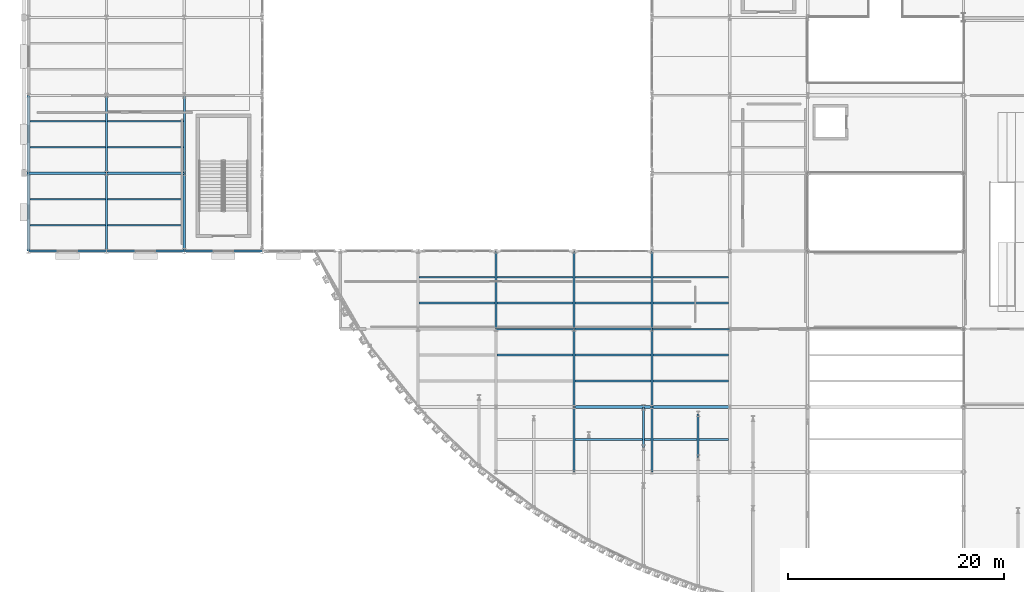
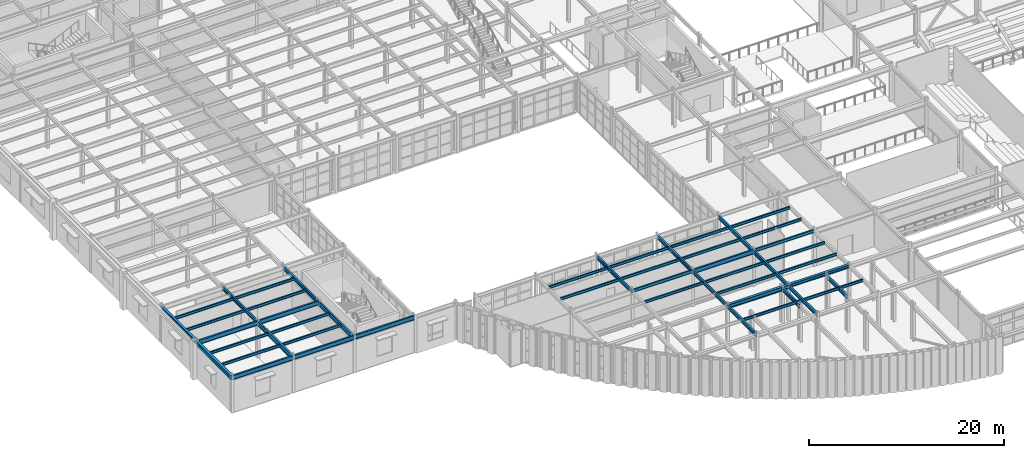
# One storey, part 24 of 121: 48 beams.
"""IFC4 building model written with IfcOpenShell, lengths in metres."""

from ifc_helpers import new_model, si_unit, direction, frame, origin, origin_2d, place, context, subcontext, project, spatial, i_section, extrude, material, material_profile, profile_set, type_object, element, save


model = new_model("IFC4")

# Units and contexts
model_context = context("Model", 3, precision=1e-05, world=origin(), true_north=direction((0.0, 1.0)))
body_context = subcontext(model_context, "Body", "Model", "MODEL_VIEW")
ifc_project = project(units=[si_unit("LENGTHUNIT", "METRE"), si_unit("AREAUNIT", "SQUARE_METRE"), si_unit("VOLUMEUNIT", "CUBIC_METRE"), si_unit("PLANEANGLEUNIT", "RADIAN"), si_unit("MASSUNIT", "GRAM", prefix="KILO")], contexts=[model_context])

# Site, building, storey
site_placement = place(None, origin())
site = spatial("IfcSite", under=ifc_project, at=site_placement, CompositionType="ELEMENT")
building_placement = place(site_placement, origin())
building = spatial("IfcBuilding", under=site, at=building_placement, Name="Solvadek Multi-Sports Hall", CompositionType="ELEMENT")
storey_placement = place(building_placement, frame((0.0, 0.0, 4.800048828125)))
storey = spatial("IfcBuildingStorey", under=building, at=storey_placement, Name="L01", CompositionType="ELEMENT", Elevation=4.800048828125)

# Beams
ifc_material = material(Name="Steel E350 (350 MPa)", Category="steel")
ifc_material_profile_1 = material_profile(ifc_material, i_section(OverallWidth=0.139892578125, OverallDepth=0.39990234375, WebThickness=0.0087890625, FlangeThickness=0.01611328125, at=origin_2d()), Name="ISMB 400")
ifc_profile_set_1 = profile_set([ifc_material_profile_1], Name="Steel E350 (350 MPa)")
beam_type_1 = type_object("IfcBeamType", Name="STR-BM-ISMB400", PredefinedType="BEAM", material=ifc_profile_set_1)
for number, where, z_axis, x_axis, name in (
    (1, (43.199951171875, 13.199951171875, 4.35986328125), (1.0, 0.0, 0.0), (0.0, 1.0, 0.0), "L01 Girder B-10 #964"),
    (2, (57.60009765625, 13.199951171875, 4.35986328125), (1.0, 0.0, 0.0), (0.0, 1.0, 0.0), "L01 Girder B-10 #966"),
):
    element("IfcBeam", number, at=place(storey_placement, frame(where, z_axis=z_axis, x_axis=x_axis)), inside=storey, type_object=beam_type_1, Name=name, PredefinedType="BEAM", context=body_context, shape_type="SweptSolid", body=[
        extrude(i_section(OverallWidth=0.139892578125, OverallDepth=0.39990234375, WebThickness=0.0087890625, FlangeThickness=0.01611328125, at=origin_2d()), origin(), (0.0, 0.0, 1.0), 7.199951171875),
    ])
ifc_material_profile_2 = material_profile(ifc_material, i_section(OverallWidth=0.18994140625, OverallDepth=0.550048828125, WebThickness=0.01123046875, FlangeThickness=0.019287109375, at=origin_2d()), Name="ISMB 550")
ifc_profile_set_2 = profile_set([ifc_material_profile_2], Name="Steel E350 (350 MPa)")
beam_type_2 = type_object("IfcBeamType", Name="STR-BM-ISMB550", PredefinedType="BEAM", material=ifc_profile_set_2)
beam_1_placement = place(storey_placement, frame((50.39990234375, 13.199951171875, 4.284912109375), z_axis=(1.0, 0.0, 0.0), x_axis=(0.0, 1.0, 0.0)))
element("IfcBeam", 3, at=beam_1_placement, inside=storey, type_object=beam_type_2, Name="L01 Girder B-06 #965", PredefinedType="BEAM", context=body_context, shape_type="SweptSolid", body=[
    extrude(i_section(OverallWidth=0.18994140625, OverallDepth=0.550048828125, WebThickness=0.01123046875, FlangeThickness=0.019287109375, at=origin_2d()), origin(), (0.0, 0.0, 1.0), 7.2001953125),
])
for number, where, z_axis, x_axis, name in (
    (4, (0.0, 20.39990234375, 4.284912109375), (1.0, 0.0, 0.0), (0.0, 1.0, 0.0), "L01 Girder B-06 #968"),
    (5, (7.199951171875, 20.39990234375, 4.284912109375), (1.0, 0.0, 0.0), (0.0, 1.0, 0.0), "L01 Girder B-06 #969"),
):
    element("IfcBeam", number, at=place(storey_placement, frame(where, z_axis=z_axis, x_axis=x_axis)), inside=storey, type_object=beam_type_2, Name=name, PredefinedType="BEAM", context=body_context, shape_type="SweptSolid", body=[
        extrude(i_section(OverallWidth=0.18994140625, OverallDepth=0.550048828125, WebThickness=0.01123046875, FlangeThickness=0.019287109375, at=origin_2d()), origin(), (0.0, 0.0, 1.0), 7.199951171875),
    ])
beam_2_placement = place(storey_placement, frame((14.39990234375, 20.39990234375, 4.284912109375), z_axis=(1.0, 0.0, 0.0), x_axis=(0.0, 1.0, 0.0)))
element("IfcBeam", 6, at=beam_2_placement, inside=storey, type_object=beam_type_2, Name="L01 Girder B-06 #970", PredefinedType="BEAM", context=body_context, shape_type="SweptSolid", body=[
    extrude(i_section(OverallWidth=0.18994140625, OverallDepth=0.550048828125, WebThickness=0.01123046875, FlangeThickness=0.019287109375, at=origin_2d()), origin(), (0.0, 0.0, 1.0), 7.2001953125),
])
for number, where, z_axis, x_axis, name in (
    (7, (0.0, 27.60009765625, 4.284912109375), (1.0, 0.0, 0.0), (0.0, 1.0, 0.0), "L01 Girder B-06 #978"),
    (8, (7.199951171875, 27.60009765625, 4.284912109375), (1.0, 0.0, 0.0), (0.0, 1.0, 0.0), "L01 Girder B-06 #979"),
):
    element("IfcBeam", number, at=place(storey_placement, frame(where, z_axis=z_axis, x_axis=x_axis)), inside=storey, type_object=beam_type_2, Name=name, PredefinedType="BEAM", context=body_context, shape_type="SweptSolid", body=[
        extrude(i_section(OverallWidth=0.18994140625, OverallDepth=0.550048828125, WebThickness=0.01123046875, FlangeThickness=0.019287109375, at=origin_2d()), origin(), (0.0, 0.0, 1.0), 7.199951171875),
    ])
ifc_material_profile_3 = material_profile(ifc_material, i_section(OverallWidth=0.18994140625, OverallDepth=0.449951171875, WebThickness=0.009521484375, FlangeThickness=0.0146484375, at=origin_2d()), Name="NPB 450")
ifc_profile_set_3 = profile_set([ifc_material_profile_3], Name="Steel E350 (350 MPa)")
beam_type_3 = type_object("IfcBeamType", Name="STR-BM-NPB450", PredefinedType="BEAM", material=ifc_profile_set_3)
for number, where, z_axis, x_axis, name in (
    (9, (7.199951171875, 27.60009765625, 4.3349609375), (0.0, 1.0, 0.0), (-1.0, 0.0, 0.0), "L01 Girder B-08 #1129"),
    (10, (14.39990234375, 27.60009765625, 4.3349609375), (0.0, 1.0, 0.0), (-1.0, 0.0, 0.0), "L01 Girder B-08 #1141"),
    (11, (43.199951171875, 13.199951171875, 4.3349609375), (0.0, 1.0, 0.0), (-1.0, 0.0, 0.0), "L01 Girder B-08 #1184"),
):
    element("IfcBeam", number, at=place(storey_placement, frame(where, z_axis=z_axis, x_axis=x_axis)), inside=storey, type_object=beam_type_3, Name=name, PredefinedType="BEAM", context=body_context, shape_type="SweptSolid", body=[
        extrude(i_section(OverallWidth=0.18994140625, OverallDepth=0.449951171875, WebThickness=0.009521484375, FlangeThickness=0.0146484375, at=origin_2d()), origin(), (0.0, 0.0, 1.0), 7.199951171875),
    ])
beam_3_placement = place(storey_placement, frame((50.39990234375, 0.0, 4.3349609375), z_axis=(0.0, 1.0, 0.0), x_axis=(-1.0, 0.0, 0.0)))
element("IfcBeam", 12, at=beam_3_placement, inside=storey, type_object=beam_type_3, Name="L01 Girder B-08 #1194", PredefinedType="BEAM", context=body_context, shape_type="SweptSolid", body=[
    extrude(i_section(OverallWidth=0.18994140625, OverallDepth=0.449951171875, WebThickness=0.009521484375, FlangeThickness=0.0146484375, at=origin_2d()), origin(), (0.0, 0.0, 1.0), 6.0),
])
for number, where, z_axis, x_axis, name in (
    (13, (50.39990234375, 6.0, 4.3349609375), (0.0, 1.0, 0.0), (-1.0, 0.0, 0.0), "L01 Girder B-08 #1195"),
    (14, (50.39990234375, 13.199951171875, 4.3349609375), (0.0, 1.0, 0.0), (-1.0, 0.0, 0.0), "L01 Girder B-08 #1196"),
):
    element("IfcBeam", number, at=place(storey_placement, frame(where, z_axis=z_axis, x_axis=x_axis)), inside=storey, type_object=beam_type_3, Name=name, PredefinedType="BEAM", context=body_context, shape_type="SweptSolid", body=[
        extrude(i_section(OverallWidth=0.18994140625, OverallDepth=0.449951171875, WebThickness=0.009521484375, FlangeThickness=0.0146484375, at=origin_2d()), origin(), (0.0, 0.0, 1.0), 7.199951171875),
    ])
beam_4_placement = place(storey_placement, frame((56.818115234375, 2.23779296875, 4.3349609375), z_axis=(0.0, 1.0, 0.0), x_axis=(-1.0, 0.0, 0.0)))
element("IfcBeam", 15, at=beam_4_placement, inside=storey, type_object=beam_type_3, Name="L01 Girder B-08 #1208", PredefinedType="BEAM", context=body_context, shape_type="SweptSolid", body=[
    extrude(i_section(OverallWidth=0.18994140625, OverallDepth=0.449951171875, WebThickness=0.009521484375, FlangeThickness=0.0146484375, at=origin_2d()), origin(), (0.0, 0.0, 1.0), 3.727294921875),
])
beam_5_placement = place(storey_placement, frame((57.60009765625, 0.0, 4.3349609375), z_axis=(0.0, 1.0, 0.0), x_axis=(-1.0, 0.0, 0.0)))
element("IfcBeam", 16, at=beam_5_placement, inside=storey, type_object=beam_type_3, Name="L01 Girder B-08 #1209", PredefinedType="BEAM", context=body_context, shape_type="SweptSolid", body=[
    extrude(i_section(OverallWidth=0.18994140625, OverallDepth=0.449951171875, WebThickness=0.009521484375, FlangeThickness=0.0146484375, at=origin_2d()), origin(), (0.0, 0.0, 1.0), 6.0),
])
for number, where, z_axis, x_axis, name in (
    (17, (57.60009765625, 6.0, 4.3349609375), (0.0, 1.0, 0.0), (-1.0, 0.0, 0.0), "L01 Girder B-08 #1210"),
    (18, (57.60009765625, 13.199951171875, 4.3349609375), (0.0, 1.0, 0.0), (-1.0, 0.0, 0.0), "L01 Girder B-08 #1211"),
):
    element("IfcBeam", number, at=place(storey_placement, frame(where, z_axis=z_axis, x_axis=x_axis)), inside=storey, type_object=beam_type_3, Name=name, PredefinedType="BEAM", context=body_context, shape_type="SweptSolid", body=[
        extrude(i_section(OverallWidth=0.18994140625, OverallDepth=0.449951171875, WebThickness=0.009521484375, FlangeThickness=0.0146484375, at=origin_2d()), origin(), (0.0, 0.0, 1.0), 7.199951171875),
    ])
beam_6_placement = place(storey_placement, frame((61.87890625, 1.318603515625, 4.3349609375), z_axis=(0.0, 1.0, 0.0), x_axis=(-1.0, 0.0, 0.0)))
element("IfcBeam", 19, at=beam_6_placement, inside=storey, type_object=beam_type_3, Name="L01 Girder B-08 #1226", PredefinedType="BEAM", context=body_context, shape_type="SweptSolid", body=[
    extrude(i_section(OverallWidth=0.18994140625, OverallDepth=0.449951171875, WebThickness=0.009521484375, FlangeThickness=0.0146484375, at=origin_2d()), origin(), (0.0, 0.0, 1.0), 4.039794921875),
])
ifc_material_profile_4 = material_profile(ifc_material, i_section(OverallWidth=0.2099609375, OverallDepth=0.550048828125, WebThickness=0.010986328125, FlangeThickness=0.01708984375, at=origin_2d()), Name="NPB 550")
ifc_profile_set_4 = profile_set([ifc_material_profile_4], Name="Steel E350 (350 MPa)")
beam_type_4 = type_object("IfcBeamType", Name="STR-BM-NPB550", PredefinedType="BEAM", material=ifc_profile_set_4)
for number, where, z_axis, x_axis, name in (
    (20, (7.199951171875, 20.39990234375, 4.284912109375), (0.0, 1.0, 0.0), (-1.0, 0.0, 0.0), "L01 Girder B-05 #1128"),
    (21, (14.39990234375, 20.39990234375, 4.284912109375), (0.0, 1.0, 0.0), (-1.0, 0.0, 0.0), "L01 Girder B-05 #1140"),
):
    element("IfcBeam", number, at=place(storey_placement, frame(where, z_axis=z_axis, x_axis=x_axis)), inside=storey, type_object=beam_type_4, Name=name, PredefinedType="BEAM", context=body_context, shape_type="SweptSolid", body=[
        extrude(i_section(OverallWidth=0.2099609375, OverallDepth=0.550048828125, WebThickness=0.010986328125, FlangeThickness=0.01708984375, at=origin_2d()), origin(), (0.0, 0.0, 1.0), 7.2001953125),
    ])
ifc_material_profile_5 = material_profile(ifc_material, i_section(OverallWidth=0.159912109375, OverallDepth=0.330078125, WebThickness=0.007568359375, FlangeThickness=0.011474609375, at=origin_2d()), Name="NPB 330")
ifc_profile_set_5 = profile_set([ifc_material_profile_5], Name="Steel E350 (350 MPa)")
beam_type_5 = type_object("IfcBeamType", Name="STR-JST-NPB330", PredefinedType="JOIST", material=ifc_profile_set_5)
beam_7_placement = place(storey_placement, frame((50.4951171875, 3.0, 4.39501953125), z_axis=(1.0, 0.0, 0.0), x_axis=(0.0, 1.0, 0.0)))
element("IfcBeam", 22, at=beam_7_placement, inside=storey, type_object=beam_type_5, Name="L01 Composite Joist J-02 #586", PredefinedType="JOIST", context=body_context, shape_type="SweptSolid", body=[
    extrude(i_section(OverallWidth=0.159912109375, OverallDepth=0.330078125, WebThickness=0.007568359375, FlangeThickness=0.011474609375, at=origin_2d()), origin(), (0.0, 0.0, 1.0), 7.009765625),
])
for number, where, z_axis, x_axis, name in (
    (23, (57.695068359375, 3.0, 4.39501953125), (1.0, 0.0, 0.0), (0.0, 1.0, 0.0), "L01 Composite Joist J-02 #587"),
    (24, (43.294921875, 10.800048828125, 4.39501953125), (1.0, 0.0, 0.0), (0.0, 1.0, 0.0), "L01 Composite Joist J-02 #591"),
):
    element("IfcBeam", number, at=place(storey_placement, frame(where, z_axis=z_axis, x_axis=x_axis)), inside=storey, type_object=beam_type_5, Name=name, PredefinedType="JOIST", context=body_context, shape_type="SweptSolid", body=[
        extrude(i_section(OverallWidth=0.159912109375, OverallDepth=0.330078125, WebThickness=0.007568359375, FlangeThickness=0.011474609375, at=origin_2d()), origin(), (0.0, 0.0, 1.0), 7.010009765625),
    ])
for number, where, z_axis, x_axis, name in (
    (25, (50.4951171875, 8.39990234375, 4.39501953125), (1.0, 0.0, 0.0), (0.0, 1.0, 0.0), "L01 Composite Joist J-02 #592"),
    (26, (50.4951171875, 10.800048828125, 4.39501953125), (1.0, 0.0, 0.0), (0.0, 1.0, 0.0), "L01 Composite Joist J-02 #593"),
):
    element("IfcBeam", number, at=place(storey_placement, frame(where, z_axis=z_axis, x_axis=x_axis)), inside=storey, type_object=beam_type_5, Name=name, PredefinedType="JOIST", context=body_context, shape_type="SweptSolid", body=[
        extrude(i_section(OverallWidth=0.159912109375, OverallDepth=0.330078125, WebThickness=0.007568359375, FlangeThickness=0.011474609375, at=origin_2d()), origin(), (0.0, 0.0, 1.0), 7.009765625),
    ])
for number, where, z_axis, x_axis, name in (
    (27, (57.695068359375, 8.39990234375, 4.39501953125), (1.0, 0.0, 0.0), (0.0, 1.0, 0.0), "L01 Composite Joist J-02 #594"),
    (28, (57.695068359375, 10.800048828125, 4.39501953125), (1.0, 0.0, 0.0), (0.0, 1.0, 0.0), "L01 Composite Joist J-02 #595"),
    (29, (36.094970703125, 15.60009765625, 4.39501953125), (1.0, 0.0, 0.0), (0.0, 1.0, 0.0), "L01 Composite Joist J-02 #596"),
    (30, (36.094970703125, 18.0, 4.39501953125), (1.0, 0.0, 0.0), (0.0, 1.0, 0.0), "L01 Composite Joist J-02 #597"),
    (31, (43.294921875, 15.60009765625, 4.39501953125), (1.0, 0.0, 0.0), (0.0, 1.0, 0.0), "L01 Composite Joist J-02 #598"),
    (32, (43.294921875, 18.0, 4.39501953125), (1.0, 0.0, 0.0), (0.0, 1.0, 0.0), "L01 Composite Joist J-02 #599"),
):
    element("IfcBeam", number, at=place(storey_placement, frame(where, z_axis=z_axis, x_axis=x_axis)), inside=storey, type_object=beam_type_5, Name=name, PredefinedType="JOIST", context=body_context, shape_type="SweptSolid", body=[
        extrude(i_section(OverallWidth=0.159912109375, OverallDepth=0.330078125, WebThickness=0.007568359375, FlangeThickness=0.011474609375, at=origin_2d()), origin(), (0.0, 0.0, 1.0), 7.010009765625),
    ])
for number, where, z_axis, x_axis, name in (
    (33, (50.4951171875, 15.60009765625, 4.39501953125), (1.0, 0.0, 0.0), (0.0, 1.0, 0.0), "L01 Composite Joist J-02 #600"),
    (34, (50.4951171875, 18.0, 4.39501953125), (1.0, 0.0, 0.0), (0.0, 1.0, 0.0), "L01 Composite Joist J-02 #601"),
):
    element("IfcBeam", number, at=place(storey_placement, frame(where, z_axis=z_axis, x_axis=x_axis)), inside=storey, type_object=beam_type_5, Name=name, PredefinedType="JOIST", context=body_context, shape_type="SweptSolid", body=[
        extrude(i_section(OverallWidth=0.159912109375, OverallDepth=0.330078125, WebThickness=0.007568359375, FlangeThickness=0.011474609375, at=origin_2d()), origin(), (0.0, 0.0, 1.0), 7.009765625),
    ])
for number, where, z_axis, x_axis, name in (
    (35, (57.695068359375, 15.60009765625, 4.39501953125), (1.0, 0.0, 0.0), (0.0, 1.0, 0.0), "L01 Composite Joist J-02 #602"),
    (36, (57.695068359375, 18.0, 4.39501953125), (1.0, 0.0, 0.0), (0.0, 1.0, 0.0), "L01 Composite Joist J-02 #603"),
):
    element("IfcBeam", number, at=place(storey_placement, frame(where, z_axis=z_axis, x_axis=x_axis)), inside=storey, type_object=beam_type_5, Name=name, PredefinedType="JOIST", context=body_context, shape_type="SweptSolid", body=[
        extrude(i_section(OverallWidth=0.159912109375, OverallDepth=0.330078125, WebThickness=0.007568359375, FlangeThickness=0.011474609375, at=origin_2d()), origin(), (0.0, 0.0, 1.0), 7.010009765625),
    ])
for number, where, z_axis, x_axis, name in (
    (37, (0.14990234375, 22.800048828125, 4.39501953125), (1.0, 0.0, 0.0), (0.0, 1.0, 0.0), "L01 Composite Joist J-02 #604"),
    (38, (0.14990234375, 25.199951171875, 4.39501953125), (1.0, 0.0, 0.0), (0.0, 1.0, 0.0), "L01 Composite Joist J-02 #605"),
):
    element("IfcBeam", number, at=place(storey_placement, frame(where, z_axis=z_axis, x_axis=x_axis)), inside=storey, type_object=beam_type_5, Name=name, PredefinedType="JOIST", context=body_context, shape_type="SweptSolid", body=[
        extrude(i_section(OverallWidth=0.159912109375, OverallDepth=0.330078125, WebThickness=0.007568359375, FlangeThickness=0.011474609375, at=origin_2d()), origin(), (0.0, 0.0, 1.0), 6.945068359375),
    ])
for number, where, z_axis, x_axis, name in (
    (39, (7.304931640625, 22.800048828125, 4.39501953125), (1.0, 0.0, 0.0), (0.0, 1.0, 0.0), "L01 Composite Joist J-02 #606"),
    (40, (7.304931640625, 25.199951171875, 4.39501953125), (1.0, 0.0, 0.0), (0.0, 1.0, 0.0), "L01 Composite Joist J-02 #607"),
):
    element("IfcBeam", number, at=place(storey_placement, frame(where, z_axis=z_axis, x_axis=x_axis)), inside=storey, type_object=beam_type_5, Name=name, PredefinedType="JOIST", context=body_context, shape_type="SweptSolid", body=[
        extrude(i_section(OverallWidth=0.159912109375, OverallDepth=0.330078125, WebThickness=0.007568359375, FlangeThickness=0.011474609375, at=origin_2d()), origin(), (0.0, 0.0, 1.0), 6.989990234375),
    ])
for number, where, z_axis, x_axis, name in (
    (41, (0.14990234375, 30.0, 4.39501953125), (1.0, 0.0, 0.0), (0.0, 1.0, 0.0), "L01 Composite Joist J-02 #608"),
    (42, (0.14990234375, 32.39990234375, 4.39501953125), (1.0, 0.0, 0.0), (0.0, 1.0, 0.0), "L01 Composite Joist J-02 #609"),
):
    element("IfcBeam", number, at=place(storey_placement, frame(where, z_axis=z_axis, x_axis=x_axis)), inside=storey, type_object=beam_type_5, Name=name, PredefinedType="JOIST", context=body_context, shape_type="SweptSolid", body=[
        extrude(i_section(OverallWidth=0.159912109375, OverallDepth=0.330078125, WebThickness=0.007568359375, FlangeThickness=0.011474609375, at=origin_2d()), origin(), (0.0, 0.0, 1.0), 6.955078125),
    ])
for number, where, z_axis, x_axis, name in (
    (43, (7.294921875, 30.0, 4.39501953125), (1.0, 0.0, 0.0), (0.0, 1.0, 0.0), "L01 Composite Joist J-02 #610"),
    (44, (7.294921875, 32.39990234375, 4.39501953125), (1.0, 0.0, 0.0), (0.0, 1.0, 0.0), "L01 Composite Joist J-02 #611"),
):
    element("IfcBeam", number, at=place(storey_placement, frame(where, z_axis=z_axis, x_axis=x_axis)), inside=storey, type_object=beam_type_5, Name=name, PredefinedType="JOIST", context=body_context, shape_type="SweptSolid", body=[
        extrude(i_section(OverallWidth=0.159912109375, OverallDepth=0.330078125, WebThickness=0.007568359375, FlangeThickness=0.011474609375, at=origin_2d()), origin(), (0.0, 0.0, 1.0), 7.010009765625),
    ])
ifc_material_profile_6 = material_profile(ifc_material, i_section(OverallWidth=0.300048828125, OverallDepth=0.39990234375, WebThickness=0.013427734375, FlangeThickness=0.02392578125, at=origin_2d()), Name="WPB 400")
ifc_profile_set_6 = profile_set([ifc_material_profile_6], Name="Steel E350 (350 MPa)")
beam_type_6 = type_object("IfcBeamType", Name="STR-SPN-WPB400", PredefinedType="SPANDREL", material=ifc_profile_set_6)
for number, where, z_axis, x_axis, name in (
    (45, (57.60009765625, 6.0, 4.35986328125), (1.0, 0.0, 0.0), (0.0, 1.0, 0.0), "L01 Girder SP-02 #954"),
    (46, (0.0, 27.60009765625, 4.35986328125), (0.0, 1.0, 0.0), (-1.0, 0.0, 0.0), "L01 Girder SP-02 #1117"),
):
    element("IfcBeam", number, at=place(storey_placement, frame(where, z_axis=z_axis, x_axis=x_axis)), inside=storey, type_object=beam_type_6, Name=name, PredefinedType="SPANDREL", context=body_context, shape_type="SweptSolid", body=[
        extrude(i_section(OverallWidth=0.300048828125, OverallDepth=0.39990234375, WebThickness=0.013427734375, FlangeThickness=0.02392578125, at=origin_2d()), origin(), (0.0, 0.0, 1.0), 7.199951171875),
    ])
ifc_material_profile_7 = material_profile(ifc_material, i_section(OverallWidth=0.300048828125, OverallDepth=0.5, WebThickness=0.014404296875, FlangeThickness=0.028076171875, at=origin_2d()), Name="WPB 500")
ifc_profile_set_7 = profile_set([ifc_material_profile_7], Name="Steel E350 (350 MPa)")
beam_type_7 = type_object("IfcBeamType", Name="STR-SPN-WPB500", PredefinedType="SPANDREL", material=ifc_profile_set_7)
for number, where, z_axis, x_axis, name in (
    (47, (50.39990234375, 6.0, 4.31005859375), (1.0, 0.0, 0.0), (0.0, 1.0, 0.0), "L01 Girder SP-01 #953"),
    (48, (0.0, 20.39990234375, 4.31005859375), (0.0, 1.0, 0.0), (-1.0, 0.0, 0.0), "L01 Girder SP-01 #1116"),
):
    element("IfcBeam", number, at=place(storey_placement, frame(where, z_axis=z_axis, x_axis=x_axis)), inside=storey, type_object=beam_type_7, Name=name, PredefinedType="SPANDREL", context=body_context, shape_type="SweptSolid", body=[
        extrude(i_section(OverallWidth=0.300048828125, OverallDepth=0.5, WebThickness=0.014404296875, FlangeThickness=0.028076171875, at=origin_2d()), origin(), (0.0, 0.0, 1.0), 7.2001953125),
    ])

save(model, "model.ifc")
